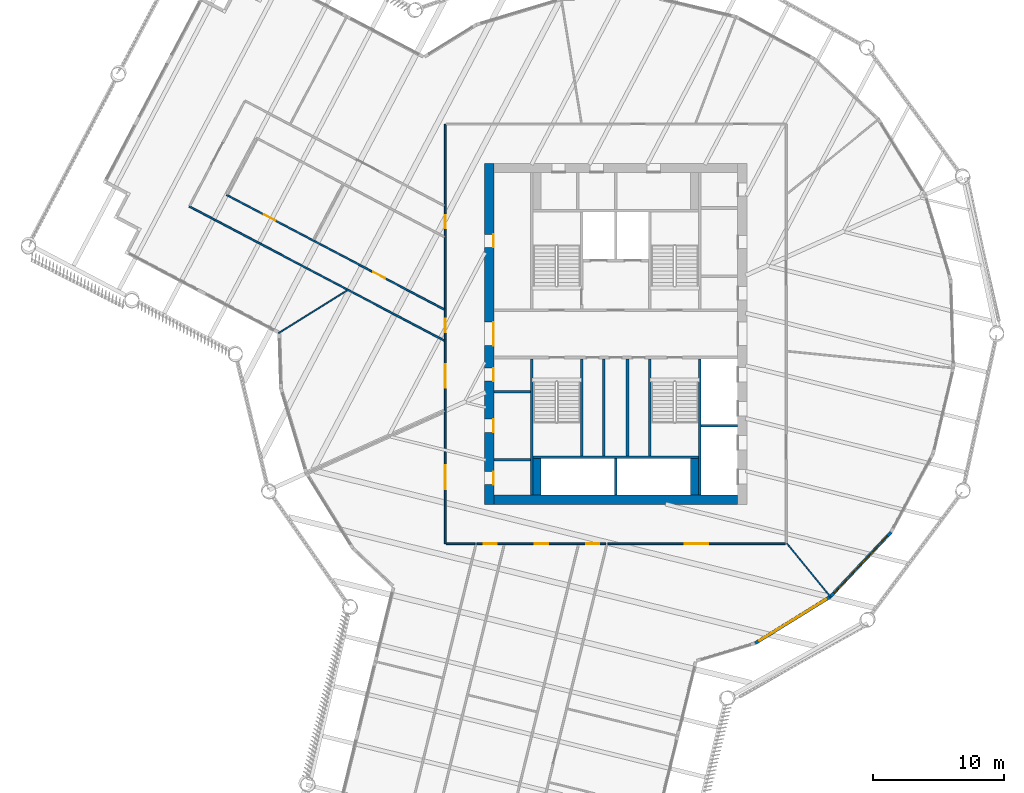
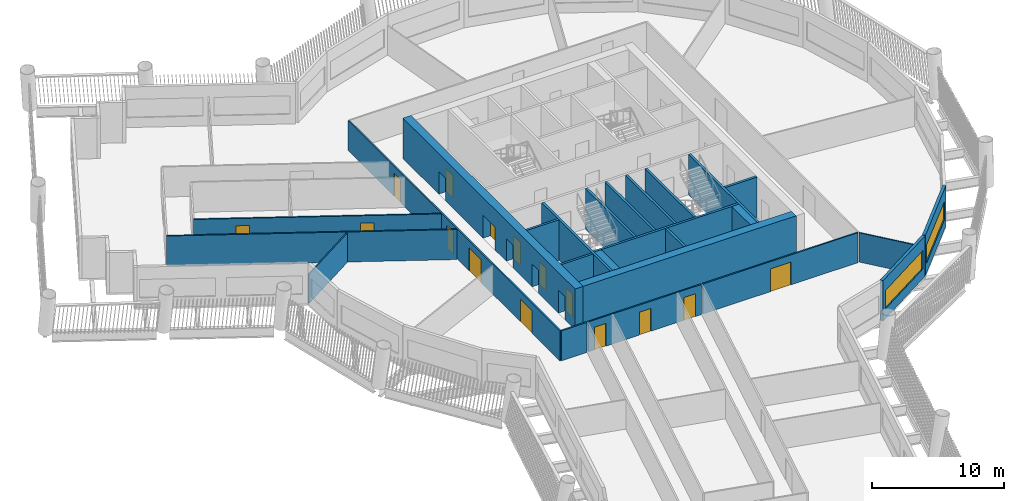
# One storey, part 4 of 15: 25 walls, 15 doors, 2 windows, 17 openings.
"""IFC4 building model written with IfcOpenShell, lengths in metres."""

from ifc_helpers import new_model, si_unit, direction, frame, frame_2d, origin, place, context, subcontext, project, spatial, rectangle, extrude, material, layer, layer_set, type_object, element, fill, save


model = new_model("IFC4")

# Units and contexts
model_context = context("Model", 3, precision=1e-05, world=origin(), true_north=direction((0.0, 1.0)))
body_context = subcontext(model_context, "Body", "Model", "MODEL_VIEW")
ifc_project = project(units=[si_unit("LENGTHUNIT", "METRE"), si_unit("AREAUNIT", "SQUARE_METRE"), si_unit("VOLUMEUNIT", "CUBIC_METRE"), si_unit("PLANEANGLEUNIT", "RADIAN"), si_unit("MASSUNIT", "GRAM", prefix="KILO")], contexts=[model_context])

# Site, building, storey
site_placement = place(None, origin())
site = spatial("IfcSite", under=ifc_project, at=site_placement, CompositionType="ELEMENT")
building_placement = place(site_placement, origin())
building = spatial("IfcBuilding", under=site, at=building_placement, Name="Tarsis Ring Headquarters", CompositionType="ELEMENT")
storey_placement = place(building_placement, frame((0.0, 0.0, 167.10009765625)))
storey = spatial("IfcBuildingStorey", under=building, at=storey_placement, Name="L38", CompositionType="ELEMENT", Elevation=167.10009765625)

# Walls
ifc_material_1 = material(Name="Blockwork", Category="masonry")
ifc_layer_1 = layer(ifc_material_1, 0.199951171875)
ifc_layer_set_1 = layer_set([ifc_layer_1], Name="Core blockwork wall 200")
wall_type_1 = type_object("IfcWallType", Name="Core blockwork wall 200", PredefinedType="PARTITIONING", material=ifc_layer_set_1)
for number, where, z_axis, x_axis, name in (
    (1, (-9.300048828125, -9.60009765625, 0.0), (0.0, 0.0, 1.0), (1.0, 0.0, 0.0), "Core partition WD1"),
    (2, (-9.300048828125, -4.39990234375, 0.0), (0.0, 0.0, 1.0), (1.0, 0.0, 0.0), "Core partition WD3"),
):
    element("IfcWall", number, at=place(storey_placement, frame(where, z_axis=z_axis, x_axis=x_axis)), inside=storey, type_object=wall_type_1, Name=name, PredefinedType="PARTITIONING", context=body_context, shape_type="SweptSolid", body=[
        extrude(rectangle(XDim=2.800048828125, YDim=0.199951171875, at=frame_2d((1.39990234375, 0.0))), origin(), (0.0, 0.0, 1.0), 3.739990234375),
    ])
for number, where, z_axis, x_axis, name in (
    (3, (-0.89990234375, -9.300048828125, 0.0), (0.0, 0.0, 1.0), (0.0, 1.0, 0.0), "Core partition SV1"),
    (4, (0.89990234375, -9.300048828125, 0.0), (0.0, 0.0, 1.0), (0.0, 1.0, 0.0), "Core partition SV2"),
):
    element("IfcWall", number, at=place(storey_placement, frame(where, z_axis=z_axis, x_axis=x_axis)), inside=storey, type_object=wall_type_1, Name=name, PredefinedType="PARTITIONING", context=body_context, shape_type="SweptSolid", body=[
        extrude(rectangle(XDim=7.400146484375, YDim=0.199951171875, at=frame_2d((3.7001953125, 0.0))), origin(), (0.0, 0.0, 1.0), 3.739990234375),
    ])

# Wall, openings, doors
ifc_material_2 = material(Name="Concrete C60/75", Category="concrete")
ifc_layer_2 = layer(ifc_material_2, 0.699951171875)
ifc_layer_set_2 = layer_set([ifc_layer_2], Name="Core wall 700 C60/75")
wall_type_2 = type_object("IfcWallType", Name="Core wall 700 C60/75", PredefinedType="SHEAR", material=ifc_layer_set_2)
wall_1_placement = place(storey_placement, frame((-9.64990234375, -13.0, 0.0), z_axis=(0.0, 0.0, 1.0), x_axis=(0.0, 1.0, 0.0)))
wall_1 = element("IfcWall", 5, at=wall_1_placement, inside=storey, type_object=wall_type_2, Name="Core wall OW", PredefinedType="SHEAR", context=body_context, shape_type="SweptSolid", body=[
    extrude(rectangle(XDim=26.0, YDim=0.699951171875, at=frame_2d((13.0, 0.0))), origin(), (0.0, 0.0, 1.0), 3.739990234375),
])
opening_1_placement = place(wall_1_placement, frame((1.5, 0.0, 0.0)))
opening_1 = element("IfcOpeningElement", 6, at=opening_1_placement, cuts=wall_1, Name="Opening L38-C01", PredefinedType="OPENING", context=body_context, shape_type="SweptSolid", body=[
    extrude(rectangle(XDim=1.0, YDim=2.10009765625, at=frame_2d((0.5, 1.050048828125))), frame((0.0, 0.35986328125, 0.0), z_axis=(0.0, -1.0, 0.0), x_axis=(1.0, 0.0, 0.0)), (0.0, 0.0, 1.0), 0.719970703125),
])
opening_2_placement = place(wall_1_placement, frame((5.5, 0.0, 0.0)))
opening_2 = element("IfcOpeningElement", 7, at=opening_2_placement, cuts=wall_1, Name="Opening L38-C02", PredefinedType="OPENING", context=body_context, shape_type="SweptSolid", body=[
    extrude(rectangle(XDim=1.0, YDim=2.10009765625, at=frame_2d((0.5, 1.050048828125))), frame((0.0, 0.35986328125, 0.0), z_axis=(0.0, -1.0, 0.0), x_axis=(1.0, 0.0, 0.0)), (0.0, 0.0, 1.0), 0.719970703125),
])
opening_3_placement = place(wall_1_placement, frame((9.39990234375, 0.0, 0.0)))
opening_3 = element("IfcOpeningElement", 8, at=opening_3_placement, cuts=wall_1, Name="Opening L38-C03", PredefinedType="OPENING", context=body_context, shape_type="SweptSolid", body=[
    extrude(rectangle(XDim=1.0, YDim=2.10009765625, at=frame_2d((0.5, 1.050048828125))), frame((0.0, 0.35986328125, 0.0), z_axis=(0.0, -1.0, 0.0), x_axis=(1.0, 0.0, 0.0)), (0.0, 0.0, 1.0), 0.719970703125),
])
opening_4_placement = place(wall_1_placement, frame((12.10009765625, 0.0, 0.0)))
opening_4 = element("IfcOpeningElement", 9, at=opening_4_placement, cuts=wall_1, Name="Opening L38-C04", PredefinedType="OPENING", context=body_context, shape_type="SweptSolid", body=[
    extrude(rectangle(XDim=1.800048828125, YDim=2.10009765625, at=frame_2d((0.89990234375, 1.050048828125))), frame((0.0, 0.35986328125, 0.0), z_axis=(0.0, -1.0, 0.0), x_axis=(1.0, 0.0, 0.0)), (0.0, 0.0, 1.0), 0.719970703125),
])
opening_5_placement = place(wall_1_placement, frame((19.60009765625, 0.0, 0.0)))
opening_5 = element("IfcOpeningElement", 10, at=opening_5_placement, cuts=wall_1, Name="Opening L38-C05", PredefinedType="OPENING", context=body_context, shape_type="SweptSolid", body=[
    extrude(rectangle(XDim=1.0, YDim=2.10009765625, at=frame_2d((0.5, 1.050048828125))), frame((0.0, 0.35986328125, 0.0), z_axis=(0.0, -1.0, 0.0), x_axis=(1.0, 0.0, 0.0)), (0.0, 0.0, 1.0), 0.719970703125),
])
ifc_material_3 = material(Name="Steel S355", Category="steel")
door_type_1 = type_object("IfcDoorType", Name="Core entry door 1800x2100", OperationType="DOUBLE_DOOR_SINGLE_SWING", PredefinedType="DOOR", material=ifc_material_3)
door_1_placement = place(opening_4_placement, origin())
door_1 = element("IfcDoor", 11, at=door_1_placement, inside=storey, type_object=door_type_1, Name="Core entry door L38", OperationType="DOUBLE_DOOR_SINGLE_SWING", OverallHeight=2.10009765625, OverallWidth=1.800048828125, PredefinedType="DOOR", context=body_context, shape_type="SweptSolid", body=[
    extrude(rectangle(XDim=1.800048828125, YDim=2.10009765625, at=frame_2d((0.89990234375, 1.050048828125))), frame((0.0, -0.2998046875, 0.0), z_axis=(0.0, -1.0, 0.0), x_axis=(1.0, 0.0, 0.0)), (0.0, 0.0, 1.0), 0.050048828125),
])
fill(opening_4, door_1)
door_type_2 = type_object("IfcDoorType", Name="Core room door 1000x2100", OperationType="SINGLE_SWING_LEFT", PredefinedType="DOOR", material=ifc_material_3)
door_2_placement = place(opening_1_placement, origin())
door_2 = element("IfcDoor", 12, at=door_2_placement, inside=storey, type_object=door_type_2, Name="Core room door L38", OperationType="SINGLE_SWING_LEFT", OverallHeight=2.10009765625, OverallWidth=1.0, PredefinedType="DOOR", context=body_context, shape_type="SweptSolid", body=[
    extrude(rectangle(XDim=1.0, YDim=2.10009765625, at=frame_2d((0.5, 1.050048828125))), frame((0.0, -0.2998046875, 0.0), z_axis=(0.0, -1.0, 0.0), x_axis=(1.0, 0.0, 0.0)), (0.0, 0.0, 1.0), 0.050048828125),
])
fill(opening_1, door_2)
door_3_placement = place(opening_2_placement, origin())
door_3 = element("IfcDoor", 13, at=door_3_placement, inside=storey, type_object=door_type_2, Name="Core room door L38", OperationType="SINGLE_SWING_LEFT", OverallHeight=2.10009765625, OverallWidth=1.0, PredefinedType="DOOR", context=body_context, shape_type="SweptSolid", body=[
    extrude(rectangle(XDim=1.0, YDim=2.10009765625, at=frame_2d((0.5, 1.050048828125))), frame((0.0, -0.2998046875, 0.0), z_axis=(0.0, -1.0, 0.0), x_axis=(1.0, 0.0, 0.0)), (0.0, 0.0, 1.0), 0.050048828125),
])
fill(opening_2, door_3)
door_4_placement = place(opening_3_placement, origin())
door_4 = element("IfcDoor", 14, at=door_4_placement, inside=storey, type_object=door_type_2, Name="Core room door L38", OperationType="SINGLE_SWING_LEFT", OverallHeight=2.10009765625, OverallWidth=1.0, PredefinedType="DOOR", context=body_context, shape_type="SweptSolid", body=[
    extrude(rectangle(XDim=1.0, YDim=2.10009765625, at=frame_2d((0.5, 1.050048828125))), frame((0.0, -0.2998046875, 0.0), z_axis=(0.0, -1.0, 0.0), x_axis=(1.0, 0.0, 0.0)), (0.0, 0.0, 1.0), 0.050048828125),
])
fill(opening_3, door_4)
door_5_placement = place(opening_5_placement, origin())
door_5 = element("IfcDoor", 15, at=door_5_placement, inside=storey, type_object=door_type_2, Name="Core room door L38", OperationType="SINGLE_SWING_LEFT", OverallHeight=2.10009765625, OverallWidth=1.0, PredefinedType="DOOR", context=body_context, shape_type="SweptSolid", body=[
    extrude(rectangle(XDim=1.0, YDim=2.10009765625, at=frame_2d((0.5, 1.050048828125))), frame((0.0, -0.2998046875, 0.0), z_axis=(0.0, -1.0, 0.0), x_axis=(1.0, 0.0, 0.0)), (0.0, 0.0, 1.0), 0.050048828125),
])
fill(opening_5, door_5)

# Walls
wall_2_placement = place(storey_placement, frame((-9.300048828125, -12.64990234375, 0.0), z_axis=(0.0, 0.0, 1.0), x_axis=(1.0, 0.0, 0.0)))
element("IfcWall", 16, at=wall_2_placement, inside=storey, type_object=wall_type_2, Name="Core wall OS", PredefinedType="SHEAR", context=body_context, shape_type="SweptSolid", body=[
    extrude(rectangle(XDim=18.60009765625, YDim=0.699951171875, at=frame_2d((9.300048828125, 0.0))), origin(), (0.0, 0.0, 1.0), 3.739990234375),
])
ifc_material_4 = material(Name="Gypsum board on steel studs", Category="steel")
ifc_layer_3 = layer(ifc_material_4, 0.10009765625)
ifc_layer_set_3 = layer_set([ifc_layer_3], Name="FL partition 100 unrated")
wall_type_3 = type_object("IfcWallType", Name="FL partition 100 unrated", PredefinedType="PARTITIONING", material=ifc_layer_set_3)
wall_3_placement = place(storey_placement, frame((-25.711669921875, 0.057373046875, 0.0), z_axis=(0.0, 0.0, 1.0), x_axis=(0.848136748118, 0.529777365024, 0.0)))
element("IfcWall", 17, at=wall_3_placement, inside=storey, type_object=wall_type_3, Name="Partition PW3", PredefinedType="PARTITIONING", context=body_context, shape_type="SweptSolid", body=[
    extrude(rectangle(XDim=6.14111328125, YDim=0.10009765625, at=frame_2d((3.070556640625, 0.0))), origin(), (0.0, 0.0, 1.0), 2.699951171875),
])
wall_4_placement = place(storey_placement, frame((13.056884765625, -15.986572265625, 0.0), z_axis=(0.0, 0.0, 1.0), x_axis=(0.632573668094, -0.774500196536, 0.0)))
element("IfcWall", 18, at=wall_4_placement, inside=storey, type_object=wall_type_3, Name="Partition PW3", PredefinedType="PARTITIONING", context=body_context, shape_type="SweptSolid", body=[
    extrude(rectangle(XDim=5.306884765625, YDim=0.10009765625, at=frame_2d((2.6533203125, 0.0))), origin(), (0.0, 0.0, 1.0), 2.699951171875),
])

# Wall, openings, doors
ifc_layer_4 = layer(ifc_material_4, 0.125)
ifc_layer_set_4 = layer_set([ifc_layer_4], Name="FL partition 125 EI 60 H2770")
wall_type_4 = type_object("IfcWallType", Name="FL partition 125 EI 60 H2770", PredefinedType="PARTITIONING", material=ifc_layer_set_4)
wall_5_placement = place(storey_placement, frame((-13.0, -16.0, 0.0), z_axis=(0.0, 0.0, 1.0), x_axis=(0.0, 1.0, 0.0)))
wall_5 = element("IfcWall", 19, at=wall_5_placement, inside=storey, type_object=wall_type_4, Name="Partition PW1", PredefinedType="PARTITIONING", context=body_context, shape_type="SweptSolid", body=[
    extrude(rectangle(XDim=32.0, YDim=0.125, at=frame_2d((16.0, 0.0))), origin(), (0.0, 0.0, 1.0), 2.77001953125),
])
opening_6_placement = place(wall_5_placement, frame((4.17333984375, 0.0, 0.0)))
opening_6 = element("IfcOpeningElement", 20, at=opening_6_placement, cuts=wall_5, Name="Opening D38.11", PredefinedType="OPENING", context=body_context, shape_type="SweptSolid", body=[
    extrude(rectangle(XDim=1.800048828125, YDim=2.10009765625, at=frame_2d((0.89990234375, 1.050048828125))), frame((0.0, 0.072509765625, 0.0), z_axis=(0.0, -1.0, 0.0), x_axis=(1.0, 0.0, 0.0)), (0.0, 0.0, 1.0), 0.14501953125),
])
opening_7_placement = place(wall_5_placement, frame((11.8994140625, 0.0, 0.0)))
opening_7 = element("IfcOpeningElement", 21, at=opening_7_placement, cuts=wall_5, Name="Opening D38.12", PredefinedType="OPENING", context=body_context, shape_type="SweptSolid", body=[
    extrude(rectangle(XDim=1.800048828125, YDim=2.10009765625, at=frame_2d((0.89990234375, 1.050048828125))), frame((0.0, 0.072509765625, 0.0), z_axis=(0.0, -1.0, 0.0), x_axis=(1.0, 0.0, 0.0)), (0.0, 0.0, 1.0), 0.14501953125),
])
opening_8_placement = place(wall_5_placement, frame((16.138427734375, 0.0, 0.0)))
opening_8 = element("IfcOpeningElement", 22, at=opening_8_placement, cuts=wall_5, Name="Opening D38.18", PredefinedType="OPENING", context=body_context, shape_type="SweptSolid", body=[
    extrude(rectangle(XDim=1.0, YDim=2.10009765625, at=frame_2d((0.5, 1.050048828125))), frame((0.0, 0.072509765625, 0.0), z_axis=(0.0, -1.0, 0.0), x_axis=(1.0, 0.0, 0.0)), (0.0, 0.0, 1.0), 0.14501953125),
])
opening_9_placement = place(wall_5_placement, frame((24.048828125, 0.0, 0.0)))
opening_9 = element("IfcOpeningElement", 23, at=opening_9_placement, cuts=wall_5, Name="Opening D38.19", PredefinedType="OPENING", context=body_context, shape_type="SweptSolid", body=[
    extrude(rectangle(XDim=1.0, YDim=2.10009765625, at=frame_2d((0.5, 1.050048828125))), frame((0.0, 0.072509765625, 0.0), z_axis=(0.0, -1.0, 0.0), x_axis=(1.0, 0.0, 0.0)), (0.0, 0.0, 1.0), 0.14501953125),
])
ifc_material_5 = material(Name="Fire-rated timber door leaf in steel frame", Category="steel")
door_type_3 = type_object("IfcDoorType", Name="FL door FD60-1000", OperationType="NOTDEFINED", PredefinedType="DOOR", material=ifc_material_5)
door_6_placement = place(opening_8_placement, origin())
door_6 = element("IfcDoor", 24, at=door_6_placement, inside=storey, type_object=door_type_3, Name="Door D38.18", OperationType="SINGLE_SWING_RIGHT", OverallHeight=2.10009765625, OverallWidth=1.0, PredefinedType="DOOR", context=body_context, shape_type="SweptSolid", body=[
    extrude(rectangle(XDim=1.0, YDim=2.10009765625, at=frame_2d((0.5, 1.050048828125))), frame((0.0, 0.02490234375, 0.0), z_axis=(0.0, -1.0, 0.0), x_axis=(1.0, 0.0, 0.0)), (0.0, 0.0, 1.0), 0.050048828125),
])
fill(opening_8, door_6)
door_7_placement = place(opening_9_placement, origin())
door_7 = element("IfcDoor", 25, at=door_7_placement, inside=storey, type_object=door_type_3, Name="Door D38.19", OperationType="SINGLE_SWING_LEFT", OverallHeight=2.10009765625, OverallWidth=1.0, PredefinedType="DOOR", context=body_context, shape_type="SweptSolid", body=[
    extrude(rectangle(XDim=1.0, YDim=2.10009765625, at=frame_2d((0.5, 1.050048828125))), frame((0.0, 0.02490234375, 0.0), z_axis=(0.0, -1.0, 0.0), x_axis=(1.0, 0.0, 0.0)), (0.0, 0.0, 1.0), 0.050048828125),
])
fill(opening_9, door_7)
door_type_4 = type_object("IfcDoorType", Name="FL door FD60-1800", OperationType="DOUBLE_DOOR_SINGLE_SWING", PredefinedType="DOOR", material=ifc_material_5)
door_8_placement = place(opening_6_placement, origin())
door_8 = element("IfcDoor", 26, at=door_8_placement, inside=storey, type_object=door_type_4, Name="Door D38.11", OperationType="DOUBLE_DOOR_SINGLE_SWING", OverallHeight=2.10009765625, OverallWidth=1.800048828125, PredefinedType="DOOR", context=body_context, shape_type="SweptSolid", body=[
    extrude(rectangle(XDim=1.800048828125, YDim=2.10009765625, at=frame_2d((0.89990234375, 1.050048828125))), frame((0.0, 0.02490234375, 0.0), z_axis=(0.0, -1.0, 0.0), x_axis=(1.0, 0.0, 0.0)), (0.0, 0.0, 1.0), 0.050048828125),
])
fill(opening_6, door_8)
door_9_placement = place(opening_7_placement, origin())
door_9 = element("IfcDoor", 27, at=door_9_placement, inside=storey, type_object=door_type_4, Name="Door D38.12", OperationType="DOUBLE_DOOR_SINGLE_SWING", OverallHeight=2.10009765625, OverallWidth=1.800048828125, PredefinedType="DOOR", context=body_context, shape_type="SweptSolid", body=[
    extrude(rectangle(XDim=1.800048828125, YDim=2.10009765625, at=frame_2d((0.89990234375, 1.050048828125))), frame((0.0, 0.02490234375, 0.0), z_axis=(0.0, -1.0, 0.0), x_axis=(1.0, 0.0, 0.0)), (0.0, 0.0, 1.0), 0.050048828125),
])
fill(opening_7, door_9)

# Wall
wall_6_placement = place(storey_placement, frame((-12.93994140625, -16.0, 0.0), z_axis=(0.0, 0.0, 1.0), x_axis=(1.0, 0.0, 0.0)))
element("IfcWall", 28, at=wall_6_placement, inside=storey, type_object=wall_type_4, Name="Partition PW1", PredefinedType="PARTITIONING", context=body_context, shape_type="SweptSolid", body=[
    extrude(rectangle(XDim=2.208984375, YDim=0.125, at=frame_2d((1.1044921875, 0.0))), origin(), (0.0, 0.0, 1.0), 2.77001953125),
])

# Wall, openings, doors
wall_7_placement = place(storey_placement, frame((-10.5908203125, -16.0, 0.0), z_axis=(0.0, 0.0, 1.0), x_axis=(1.0, 0.0, 0.0)))
wall_7 = element("IfcWall", 29, at=wall_7_placement, inside=storey, type_object=wall_type_4, Name="Partition PW1", PredefinedType="PARTITIONING", context=body_context, shape_type="SweptSolid", body=[
    extrude(rectangle(XDim=9.846435546875, YDim=0.125, at=frame_2d((4.92333984375, 0.0))), origin(), (0.0, 0.0, 1.0), 2.77001953125),
])
opening_10_placement = place(wall_7_placement, frame((4.4326171875, 0.0, 0.0)))
opening_10 = element("IfcOpeningElement", 30, at=opening_10_placement, cuts=wall_7, Name="Opening D38.15", PredefinedType="OPENING", context=body_context, shape_type="SweptSolid", body=[
    extrude(rectangle(XDim=1.0, YDim=2.10009765625, at=frame_2d((0.5, 1.050048828125))), frame((0.0, 0.072509765625, 0.0), z_axis=(0.0, -1.0, 0.0), x_axis=(1.0, 0.0, 0.0)), (0.0, 0.0, 1.0), 0.14501953125),
])
opening_11_placement = place(wall_7_placement, frame((0.520263671875, 0.0, 0.0)))
opening_11 = element("IfcOpeningElement", 31, at=opening_11_placement, cuts=wall_7, Name="Opening D38.16", PredefinedType="OPENING", context=body_context, shape_type="SweptSolid", body=[
    extrude(rectangle(XDim=1.0, YDim=2.10009765625, at=frame_2d((0.5, 1.050048828125))), frame((0.0, 0.072509765625, 0.0), z_axis=(0.0, -1.0, 0.0), x_axis=(1.0, 0.0, 0.0)), (0.0, 0.0, 1.0), 0.14501953125),
])
opening_12_placement = place(wall_7_placement, frame((8.344970703125, 0.0, 0.0)))
opening_12 = element("IfcOpeningElement", 32, at=opening_12_placement, cuts=wall_7, Name="Opening D38.17", PredefinedType="OPENING", context=body_context, shape_type="SweptSolid", body=[
    extrude(rectangle(XDim=1.0, YDim=2.10009765625, at=frame_2d((0.5, 1.050048828125))), frame((0.0, 0.072509765625, 0.0), z_axis=(0.0, -1.0, 0.0), x_axis=(1.0, 0.0, 0.0)), (0.0, 0.0, 1.0), 0.14501953125),
])
door_10_placement = place(opening_10_placement, origin())
door_10 = element("IfcDoor", 33, at=door_10_placement, inside=storey, type_object=door_type_3, Name="Door D38.15", OperationType="SINGLE_SWING_LEFT", OverallHeight=2.10009765625, OverallWidth=1.0, PredefinedType="DOOR", context=body_context, shape_type="SweptSolid", body=[
    extrude(rectangle(XDim=1.0, YDim=2.10009765625, at=frame_2d((0.5, 1.050048828125))), frame((0.0, 0.02490234375, 0.0), z_axis=(0.0, -1.0, 0.0), x_axis=(1.0, 0.0, 0.0)), (0.0, 0.0, 1.0), 0.050048828125),
])
fill(opening_10, door_10)
door_11_placement = place(opening_11_placement, origin())
door_11 = element("IfcDoor", 34, at=door_11_placement, inside=storey, type_object=door_type_3, Name="Door D38.16", OperationType="SINGLE_SWING_RIGHT", OverallHeight=2.10009765625, OverallWidth=1.0, PredefinedType="DOOR", context=body_context, shape_type="SweptSolid", body=[
    extrude(rectangle(XDim=1.0, YDim=2.10009765625, at=frame_2d((0.5, 1.050048828125))), frame((0.0, 0.02490234375, 0.0), z_axis=(0.0, -1.0, 0.0), x_axis=(1.0, 0.0, 0.0)), (0.0, 0.0, 1.0), 0.050048828125),
])
fill(opening_11, door_11)
door_12_placement = place(opening_12_placement, origin())
door_12 = element("IfcDoor", 35, at=door_12_placement, inside=storey, type_object=door_type_3, Name="Door D38.17", OperationType="SINGLE_SWING_LEFT", OverallHeight=2.10009765625, OverallWidth=1.0, PredefinedType="DOOR", context=body_context, shape_type="SweptSolid", body=[
    extrude(rectangle(XDim=1.0, YDim=2.10009765625, at=frame_2d((0.5, 1.050048828125))), frame((0.0, 0.02490234375, 0.0), z_axis=(0.0, -1.0, 0.0), x_axis=(1.0, 0.0, 0.0)), (0.0, 0.0, 1.0), 0.050048828125),
])
fill(opening_12, door_12)

# Wall, opening, door
wall_8_placement = place(storey_placement, frame((-0.60400390625, -16.0, 0.0), z_axis=(0.0, 0.0, 1.0), x_axis=(1.0, 0.0, 0.0)))
wall_8 = element("IfcWall", 36, at=wall_8_placement, inside=storey, type_object=wall_type_4, Name="Partition PW1", PredefinedType="PARTITIONING", context=body_context, shape_type="SweptSolid", body=[
    extrude(rectangle(XDim=13.5439453125, YDim=0.125, at=frame_2d((6.77197265625, 0.0))), origin(), (0.0, 0.0, 1.0), 2.77001953125),
])
opening_13_placement = place(wall_8_placement, frame((5.87158203125, 0.0, 0.0)))
opening_13 = element("IfcOpeningElement", 37, at=opening_13_placement, cuts=wall_8, Name="Opening D38.07", PredefinedType="OPENING", context=body_context, shape_type="SweptSolid", body=[
    extrude(rectangle(XDim=1.800048828125, YDim=2.10009765625, at=frame_2d((0.89990234375, 1.050048828125))), frame((0.0, 0.072509765625, 0.0), z_axis=(0.0, -1.0, 0.0), x_axis=(1.0, 0.0, 0.0)), (0.0, 0.0, 1.0), 0.14501953125),
])
door_13_placement = place(opening_13_placement, origin())
door_13 = element("IfcDoor", 38, at=door_13_placement, inside=storey, type_object=door_type_4, Name="Door D38.07", OperationType="DOUBLE_DOOR_SINGLE_SWING", OverallHeight=2.10009765625, OverallWidth=1.800048828125, PredefinedType="DOOR", context=body_context, shape_type="SweptSolid", body=[
    extrude(rectangle(XDim=1.800048828125, YDim=2.10009765625, at=frame_2d((0.89990234375, 1.050048828125))), frame((0.0, 0.02490234375, 0.0), z_axis=(0.0, -1.0, 0.0), x_axis=(1.0, 0.0, 0.0)), (0.0, 0.0, 1.0), 0.050048828125),
])
fill(opening_13, door_13)

# Wall
wall_9_placement = place(storey_placement, frame((-32.513427734375, 9.722900390625, 0.0), z_axis=(0.0, 0.0, 1.0), x_axis=(0.884905682542, -0.46577025775, 0.0)))
element("IfcWall", 39, at=wall_9_placement, inside=storey, type_object=wall_type_4, Name="Partition PW1", PredefinedType="PARTITIONING", context=body_context, shape_type="SweptSolid", body=[
    extrude(rectangle(XDim=21.96142578125, YDim=0.125, at=frame_2d((10.980712890625, 0.0))), origin(), (0.0, 0.0, 1.0), 2.77001953125),
])

# Wall, openings, doors
wall_10_placement = place(storey_placement, frame((-29.677001953125, 10.60302734375, 0.0), z_axis=(0.0, 0.0, 1.0), x_axis=(0.884904951341, -0.465771646939, 0.0)))
wall_10 = element("IfcWall", 40, at=wall_10_placement, inside=storey, type_object=wall_type_4, Name="Partition PW1", PredefinedType="PARTITIONING", context=body_context, shape_type="SweptSolid", body=[
    extrude(rectangle(XDim=18.756103515625, YDim=0.125, at=frame_2d((9.3779296875, 0.0))), origin(), (0.0, 0.0, 1.0), 2.77001953125),
])
opening_14_placement = place(wall_10_placement, frame((12.649169921875, 0.0, 0.0)))
opening_14 = element("IfcOpeningElement", 41, at=opening_14_placement, cuts=wall_10, Name="Opening D38.13", PredefinedType="OPENING", context=body_context, shape_type="SweptSolid", body=[
    extrude(rectangle(XDim=1.0, YDim=2.10009765625, at=frame_2d((0.5, 1.050048828125))), frame((0.0, 0.072509765625, 0.0), z_axis=(0.0, -1.0, 0.0), x_axis=(1.0, 0.0, 0.0)), (0.0, 0.0, 1.0), 0.14501953125),
])
opening_15_placement = place(wall_10_placement, frame((3.22607421875, 0.0, 0.0)))
opening_15 = element("IfcOpeningElement", 42, at=opening_15_placement, cuts=wall_10, Name="Opening D38.14", PredefinedType="OPENING", context=body_context, shape_type="SweptSolid", body=[
    extrude(rectangle(XDim=1.0, YDim=2.10009765625, at=frame_2d((0.5, 1.050048828125))), frame((0.0, 0.072509765625, 0.0), z_axis=(0.0, -1.0, 0.0), x_axis=(1.0, 0.0, 0.0)), (0.0, 0.0, 1.0), 0.14501953125),
])
door_14_placement = place(opening_14_placement, origin())
door_14 = element("IfcDoor", 43, at=door_14_placement, inside=storey, type_object=door_type_3, Name="Door D38.13", OperationType="SINGLE_SWING_LEFT", OverallHeight=2.10009765625, OverallWidth=1.0, PredefinedType="DOOR", context=body_context, shape_type="SweptSolid", body=[
    extrude(rectangle(XDim=1.0, YDim=2.10009765625, at=frame_2d((0.5, 1.050048828125))), frame((0.0, 0.02490234375, 0.0), z_axis=(0.0, -1.0, 0.0), x_axis=(1.0, 0.0, 0.0)), (0.0, 0.0, 1.0), 0.050048828125),
])
fill(opening_14, door_14)
door_15_placement = place(opening_15_placement, origin())
door_15 = element("IfcDoor", 44, at=door_15_placement, inside=storey, type_object=door_type_3, Name="Door D38.14", OperationType="SINGLE_SWING_RIGHT", OverallHeight=2.10009765625, OverallWidth=1.0, PredefinedType="DOOR", context=body_context, shape_type="SweptSolid", body=[
    extrude(rectangle(XDim=1.0, YDim=2.10009765625, at=frame_2d((0.5, 1.050048828125))), frame((0.0, 0.02490234375, 0.0), z_axis=(0.0, -1.0, 0.0), x_axis=(1.0, 0.0, 0.0)), (0.0, 0.0, 1.0), 0.050048828125),
])
fill(opening_15, door_15)

# Wall, opening, window
ifc_material_6 = material(Name="Terracotta clad insulated panel wall", Category="masonry")
ifc_layer_5 = layer(ifc_material_6, 0.25)
ifc_layer_set_5 = layer_set([ifc_layer_5], Name="Facade wall terracotta panel 250")
wall_type_5 = type_object("IfcWallType", Name="Facade wall terracotta panel 250", PredefinedType="STANDARD", material=ifc_layer_set_5)
wall_11_placement = place(storey_placement, frame((10.63671875, -23.583984375, 0.0), z_axis=(0.0, 0.0, 1.0), x_axis=(0.850450099667, 0.526055727064, 0.0)))
wall_11 = element("IfcWall", 45, at=wall_11_placement, inside=storey, type_object=wall_type_5, Name="External wall L38-18", PredefinedType="STANDARD", context=body_context, shape_type="SweptSolid", body=[
    extrude(rectangle(XDim=6.721435546875, YDim=0.25, at=frame_2d((3.36083984375, 0.0))), origin(), (0.0, 0.0, 1.0), 3.739990234375),
])
opening_16_placement = place(wall_11_placement, frame((0.3857421875, 0.0, 0.89990234375)))
opening_16 = element("IfcOpeningElement", 46, at=opening_16_placement, cuts=wall_11, Name="Opening WN07", PredefinedType="OPENING", context=body_context, shape_type="SweptSolid", body=[
    extrude(rectangle(XDim=5.949951171875, YDim=1.699951171875, at=frame_2d((2.97509765625, 0.85009765625))), frame((0.0, 0.135009765625, 0.0), z_axis=(0.0, -1.0, 0.0), x_axis=(1.0, 0.0, 0.0)), (0.0, 0.0, 1.0), 0.27001953125),
])
ifc_material_7 = material(Name="Aluminium framed double glazing", Category="aluminium")
window_type = type_object("IfcWindowType", Name="Facade window 5950 x 1700", PartitioningType="SINGLE_PANEL", PredefinedType="WINDOW", material=ifc_material_7)
window_1_placement = place(opening_16_placement, origin())
window_1 = element("IfcWindow", 47, at=window_1_placement, inside=storey, type_object=window_type, Name="Window L38-18.1", OverallHeight=1.699951171875, OverallWidth=5.949951171875, PartitioningType="SINGLE_PANEL", PredefinedType="WINDOW", context=body_context, shape_type="SweptSolid", body=[
    extrude(rectangle(XDim=5.949951171875, YDim=1.699951171875, at=frame_2d((2.97509765625, 0.85009765625))), frame((0.0, 0.030029296875, 0.0), z_axis=(0.0, -1.0, 0.0), x_axis=(1.0, 0.0, 0.0)), (0.0, 0.0, 1.0), 0.06005859375),
])
fill(opening_16, window_1)

wall_12_placement = place(storey_placement, frame((16.37841796875, -20.02734375, 0.0), z_axis=(0.0, 0.0, 1.0), x_axis=(0.685313711259, 0.728247977794, 0.0)))
wall_12 = element("IfcWall", 48, at=wall_12_placement, inside=storey, type_object=wall_type_5, Name="External wall L38-19", PredefinedType="STANDARD", context=body_context, shape_type="SweptSolid", body=[
    extrude(rectangle(XDim=6.72119140625, YDim=0.25, at=frame_2d((3.360595703125, 0.0))), origin(), (0.0, 0.0, 1.0), 3.739990234375),
])
opening_17_placement = place(wall_12_placement, frame((0.3857421875, 0.0, 0.89990234375)))
opening_17 = element("IfcOpeningElement", 49, at=opening_17_placement, cuts=wall_12, Name="Opening WN07", PredefinedType="OPENING", context=body_context, shape_type="SweptSolid", body=[
    extrude(rectangle(XDim=5.949951171875, YDim=1.699951171875, at=frame_2d((2.97509765625, 0.85009765625))), frame((0.0, 0.135009765625, 0.0), z_axis=(0.0, -1.0, 0.0), x_axis=(1.0, 0.0, 0.0)), (0.0, 0.0, 1.0), 0.27001953125),
])
window_2_placement = place(opening_17_placement, origin())
window_2 = element("IfcWindow", 50, at=window_2_placement, inside=storey, type_object=window_type, Name="Window L38-19.1", OverallHeight=1.699951171875, OverallWidth=5.949951171875, PartitioningType="SINGLE_PANEL", PredefinedType="WINDOW", context=body_context, shape_type="SweptSolid", body=[
    extrude(rectangle(XDim=5.949951171875, YDim=1.699951171875, at=frame_2d((2.97509765625, 0.85009765625))), frame((0.0, 0.030029296875, 0.0), z_axis=(0.0, -1.0, 0.0), x_axis=(1.0, 0.0, 0.0)), (0.0, 0.0, 1.0), 0.06005859375),
])
fill(opening_17, window_2)

# Walls
ifc_material_8 = material(Name="Concrete C32/40", Category="concrete")
ifc_layer_6 = layer(ifc_material_8, 0.60009765625)
ifc_layer_set_6 = layer_set([ifc_layer_6], Name="Shaft end wall 600 C32/40")
wall_type_6 = type_object("IfcWallType", Name="Shaft end wall 600 C32/40", PredefinedType="SOLIDWALL", material=ifc_layer_set_6)
for number, where, z_axis, x_axis, name in (
    (51, (-6.0, -12.300048828125, 0.0), (0.0, 0.0, 1.0), (0.0, 1.0, 0.0), "Core shaft wall SNE1"),
    (52, (6.0, -12.300048828125, 0.0), (0.0, 0.0, 1.0), (0.0, 1.0, 0.0), "Core shaft wall SNE2"),
):
    element("IfcWall", number, at=place(storey_placement, frame(where, z_axis=z_axis, x_axis=x_axis)), inside=storey, type_object=wall_type_6, Name=name, PredefinedType="SOLIDWALL", context=body_context, shape_type="SweptSolid", body=[
        extrude(rectangle(XDim=2.800048828125, YDim=0.60009765625, at=frame_2d((1.39990234375, 0.0))), origin(), (0.0, 0.0, 1.0), 3.739990234375),
    ])
ifc_layer_7 = layer(ifc_material_8, 0.199951171875)
ifc_layer_set_7 = layer_set([ifc_layer_7], Name="Shaft wall 200 C32/40")
wall_type_7 = type_object("IfcWallType", Name="Shaft wall 200 C32/40", PredefinedType="SOLIDWALL", material=ifc_layer_set_7)
for number, where, z_axis, x_axis, name in (
    (53, (-6.39990234375, -12.300048828125, 0.0), (0.0, 0.0, 1.0), (0.0, 1.0, 0.0), "Core shaft wall WB1"),
    (54, (6.39990234375, -12.300048828125, 0.0), (0.0, 0.0, 1.0), (0.0, 1.0, 0.0), "Core shaft wall EB1"),
):
    element("IfcWall", number, at=place(storey_placement, frame(where, z_axis=z_axis, x_axis=x_axis)), inside=storey, type_object=wall_type_7, Name=name, PredefinedType="SOLIDWALL", context=body_context, shape_type="SweptSolid", body=[
        extrude(rectangle(XDim=10.400146484375, YDim=0.199951171875, at=frame_2d((5.2001953125, 0.0))), origin(), (0.0, 0.0, 1.0), 3.739990234375),
    ])
wall_13_placement = place(storey_placement, frame((-6.300048828125, -9.39990234375, 0.0), z_axis=(0.0, 0.0, 1.0), x_axis=(1.0, 0.0, 0.0)))
element("IfcWall", 55, at=wall_13_placement, inside=storey, type_object=wall_type_7, Name="Core shaft wall SB", PredefinedType="SOLIDWALL", context=body_context, shape_type="SweptSolid", body=[
    extrude(rectangle(XDim=12.60009765625, YDim=0.199951171875, at=frame_2d((6.300048828125, 0.0))), origin(), (0.0, 0.0, 1.0), 3.739990234375),
])
for number, where, z_axis, x_axis, name in (
    (56, (-2.60009765625, -9.300048828125, 0.0), (0.0, 0.0, 1.0), (0.0, 1.0, 0.0), "Core shaft wall SW3"),
    (57, (2.60009765625, -9.300048828125, 0.0), (0.0, 0.0, 1.0), (0.0, 1.0, 0.0), "Core shaft wall SW4"),
):
    element("IfcWall", number, at=place(storey_placement, frame(where, z_axis=z_axis, x_axis=x_axis)), inside=storey, type_object=wall_type_7, Name=name, PredefinedType="SOLIDWALL", context=body_context, shape_type="SweptSolid", body=[
        extrude(rectangle(XDim=7.400146484375, YDim=0.199951171875, at=frame_2d((3.7001953125, 0.0))), origin(), (0.0, 0.0, 1.0), 3.739990234375),
    ])
for number, where, z_axis, x_axis, name in (
    (58, (6.5, -7.0, 0.0), (0.0, 0.0, 1.0), (1.0, 0.0, 0.0), "Core shaft wall ED2"),
    (59, (0.0, -12.300048828125, 0.0), (0.0, 0.0, 1.0), (0.0, 1.0, 0.0), "Core shaft wall SD2"),
):
    element("IfcWall", number, at=place(storey_placement, frame(where, z_axis=z_axis, x_axis=x_axis)), inside=storey, type_object=wall_type_7, Name=name, PredefinedType="SOLIDWALL", context=body_context, shape_type="SweptSolid", body=[
        extrude(rectangle(XDim=2.800048828125, YDim=0.199951171875, at=frame_2d((1.39990234375, 0.0))), origin(), (0.0, 0.0, 1.0), 3.739990234375),
    ])

save(model, "model.ifc")
